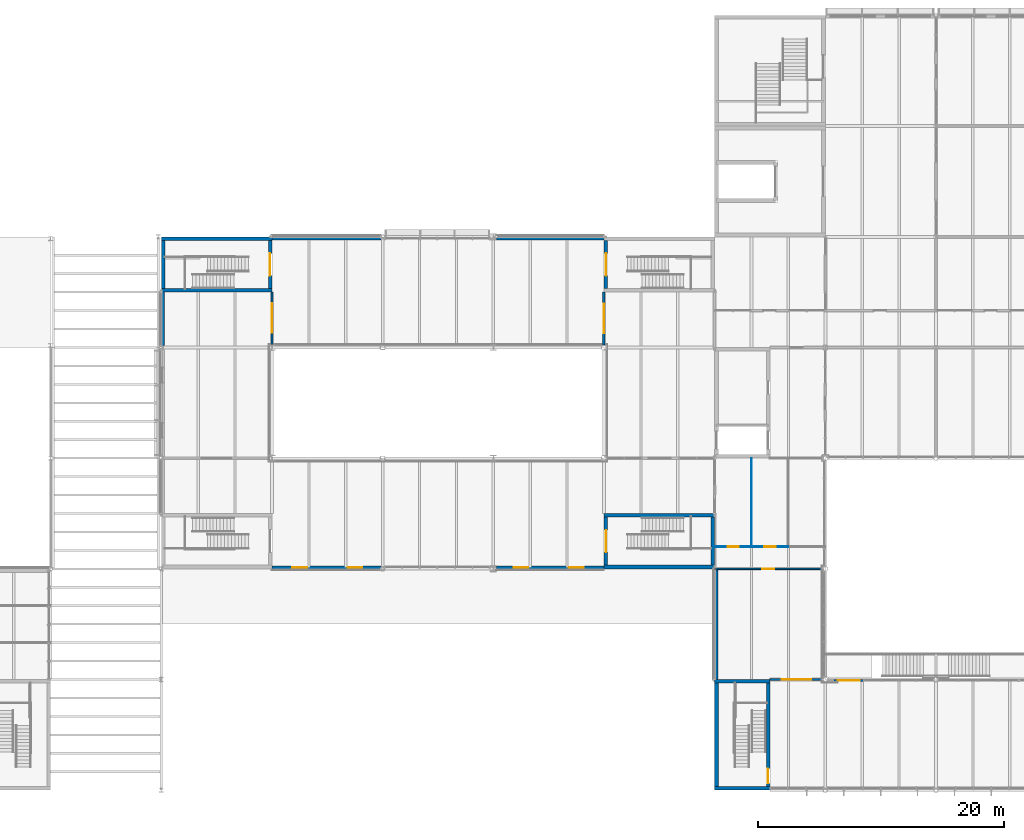
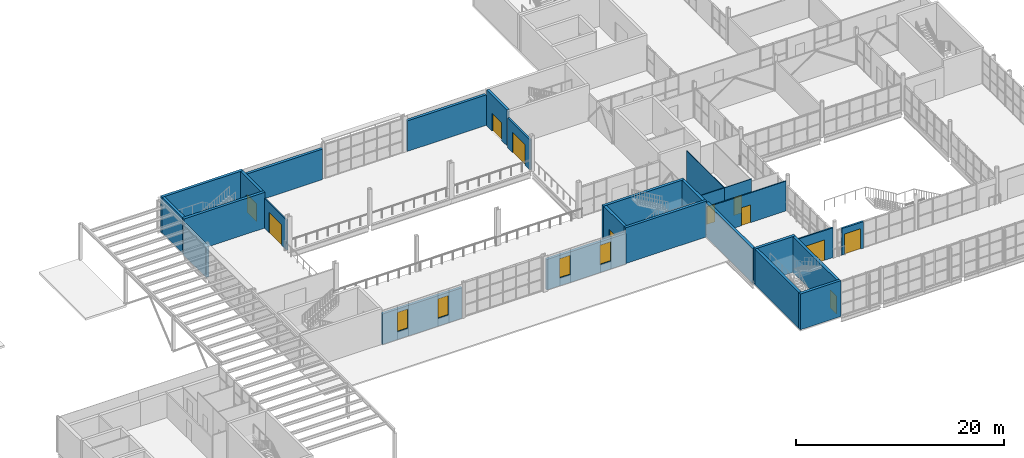
# One storey, part 34 of 57: 27 walls, 11 doors, 4 windows, 15 openings.
"""IFC4 building model written with IfcOpenShell, lengths in metres."""

from ifc_helpers import new_model, si_unit, direction, frame, frame_2d, origin, place, context, subcontext, project, spatial, rectangle, extrude, material, layer, layer_set, type_object, element, fill, save


model = new_model("IFC4")

# Units and contexts
model_context = context("Model", 3, precision=1e-05, world=origin(), true_north=direction((0.0, 1.0)))
body_context = subcontext(model_context, "Body", "Model", "MODEL_VIEW")
ifc_project = project(units=[si_unit("LENGTHUNIT", "METRE"), si_unit("AREAUNIT", "SQUARE_METRE"), si_unit("VOLUMEUNIT", "CUBIC_METRE"), si_unit("PLANEANGLEUNIT", "RADIAN"), si_unit("MASSUNIT", "GRAM", prefix="KILO")], contexts=[model_context])

# Site, building, storey
site_placement = place(None, origin())
site = spatial("IfcSite", under=ifc_project, at=site_placement, CompositionType="ELEMENT")
building_placement = place(site_placement, origin())
building = spatial("IfcBuilding", under=site, at=building_placement, Name="Halyard Row Museum", CompositionType="ELEMENT")
storey_placement = place(building_placement, frame((0.0, 0.0, 5.0)))
storey = spatial("IfcBuildingStorey", under=building, at=storey_placement, Name="L01", CompositionType="ELEMENT", Elevation=5.0)

# Walls
ifc_material_1 = material(Name="Timber battens on insulated steel-stud wall", Category="steel")
ifc_layer_1 = layer(ifc_material_1, 0.320068359375)
ifc_layer_set_1 = layer_set([ifc_layer_1], Name="Timber battens on insulated steel-stud wall")
wall_type_1 = type_object("IfcWallType", Name="Batten rainscreen wall 320 deep reveal", PredefinedType="SOLIDWALL", material=ifc_layer_set_1)
wall_1_placement = place(storey_placement, frame((72.10009765625, 9.0, 0.0), z_axis=(0.0, 0.0, 1.0), x_axis=(0.0, 1.0, 0.0)))
element("IfcWall", 1, at=wall_1_placement, inside=storey, type_object=wall_type_1, Name="Wall WL01-811", PredefinedType="SOLIDWALL", context=body_context, shape_type="SweptSolid", body=[
    extrude(rectangle(XDim=9.0, YDim=0.320068359375, at=frame_2d((4.5, 0.0))), origin(), (0.0, 0.0, 1.0), 4.034912109375),
])
ifc_material_2 = material(Name="Concrete 40 MPa", Category="concrete")
ifc_layer_2 = layer(ifc_material_2, 0.300048828125)
ifc_layer_set_2 = layer_set([ifc_layer_2], Name="Concrete 40 MPa")
wall_type_2 = type_object("IfcWallType", Name="Exitway wall 300 reinforced concrete", PredefinedType="SOLIDWALL", material=ifc_layer_set_2)
wall_2_placement = place(storey_placement, frame((27.0, 40.64990234375, 0.0), z_axis=(0.0, 0.0, 1.0), x_axis=(1.0, 0.0, 0.0)))
element("IfcWall", 2, at=wall_2_placement, inside=storey, type_object=wall_type_2, Name="Core wall K1A S L01", PredefinedType="SOLIDWALL", context=body_context, shape_type="SweptSolid", body=[
    extrude(rectangle(XDim=9.0, YDim=0.300048828125, at=frame_2d((4.5, 0.0))), origin(), (0.0, 0.0, 1.0), 4.199951171875),
])

# Wall, opening, door
wall_3_placement = place(storey_placement, frame((35.85009765625, 40.800048828125, 0.0), z_axis=(0.0, 0.0, 1.0), x_axis=(0.0, 1.0, 0.0)))
wall_3 = element("IfcWall", 3, at=wall_3_placement, inside=storey, type_object=wall_type_2, Name="Core wall K1A E L01", PredefinedType="SOLIDWALL", context=body_context, shape_type="SweptSolid", body=[
    extrude(rectangle(XDim=3.89990234375, YDim=0.300048828125, at=frame_2d((1.949951171875, 0.0))), origin(), (0.0, 0.0, 1.0), 4.199951171875),
])
opening_1_placement = place(wall_3_placement, frame((1.050048828125, 0.0, 0.0)))
opening_1 = element("IfcOpeningElement", 4, at=opening_1_placement, cuts=wall_3, Name="Opening DL01-001", PredefinedType="OPENING", context=body_context, shape_type="SweptSolid", body=[
    extrude(rectangle(XDim=1.800048828125, YDim=2.10009765625, at=frame_2d((0.89990234375, 1.050048828125))), frame((0.0, 0.159912109375, 0.0), z_axis=(0.0, -1.0, 0.0), x_axis=(1.0, 0.0, 0.0)), (0.0, 0.0, 1.0), 0.320068359375),
])
ifc_material_3 = material(Name="Fire-resisting timber door leaf and steel frame", Category="steel")
door_type_1 = type_object("IfcDoorType", Name="Exitway door 1800 x 2100 fire rated", OperationType="NOTDEFINED", PredefinedType="DOOR", material=ifc_material_3)
door_1_placement = place(opening_1_placement, origin())
door_1 = element("IfcDoor", 5, at=door_1_placement, inside=storey, type_object=door_type_1, Name="Exitway door K1A L01", OperationType="DOUBLE_DOOR_SINGLE_SWING", OverallHeight=2.10009765625, OverallWidth=1.800048828125, PredefinedType="DOOR", context=body_context, shape_type="SweptSolid", body=[
    extrude(rectangle(XDim=1.800048828125, YDim=2.10009765625, at=frame_2d((0.89990234375, 1.050048828125))), frame((0.0, 0.02490234375, 0.0), z_axis=(0.0, -1.0, 0.0), x_axis=(1.0, 0.0, 0.0)), (0.0, 0.0, 1.0), 0.050048828125),
])
fill(opening_1, door_1)

# Walls
wall_4_placement = place(storey_placement, frame((27.0, 44.85009765625, 0.0), z_axis=(0.0, 0.0, 1.0), x_axis=(1.0, 0.0, 0.0)))
element("IfcWall", 6, at=wall_4_placement, inside=storey, type_object=wall_type_2, Name="Core wall K1A N L01", PredefinedType="SOLIDWALL", context=body_context, shape_type="SweptSolid", body=[
    extrude(rectangle(XDim=9.0, YDim=0.300048828125, at=frame_2d((4.5, 0.0))), origin(), (0.0, 0.0, 1.0), 4.199951171875),
])
wall_5_placement = place(storey_placement, frame((27.14990234375, 40.800048828125, 0.0), z_axis=(0.0, 0.0, 1.0), x_axis=(0.0, 1.0, 0.0)))
element("IfcWall", 7, at=wall_5_placement, inside=storey, type_object=wall_type_2, Name="Core wall K1A W L01", PredefinedType="SOLIDWALL", context=body_context, shape_type="SweptSolid", body=[
    extrude(rectangle(XDim=3.89990234375, YDim=0.300048828125, at=frame_2d((1.949951171875, 0.0))), origin(), (0.0, 0.0, 1.0), 4.199951171875),
])

# Wall, opening, door
wall_6_placement = place(storey_placement, frame((63.14990234375, 40.800048828125, 0.0), z_axis=(0.0, 0.0, 1.0), x_axis=(0.0, 1.0, 0.0)))
wall_6 = element("IfcWall", 8, at=wall_6_placement, inside=storey, type_object=wall_type_2, Name="Core wall K1B W L01", PredefinedType="SOLIDWALL", context=body_context, shape_type="SweptSolid", body=[
    extrude(rectangle(XDim=3.89990234375, YDim=0.300048828125, at=frame_2d((1.949951171875, 0.0))), origin(), (0.0, 0.0, 1.0), 4.199951171875),
])
opening_2_placement = place(wall_6_placement, frame((1.050048828125, 0.0, 0.0)))
opening_2 = element("IfcOpeningElement", 9, at=opening_2_placement, cuts=wall_6, Name="Opening DL01-002", PredefinedType="OPENING", context=body_context, shape_type="SweptSolid", body=[
    extrude(rectangle(XDim=1.800048828125, YDim=2.10009765625, at=frame_2d((0.89990234375, 1.050048828125))), frame((0.0, 0.159912109375, 0.0), z_axis=(0.0, -1.0, 0.0), x_axis=(1.0, 0.0, 0.0)), (0.0, 0.0, 1.0), 0.320068359375),
])
door_2_placement = place(opening_2_placement, frame((1.800048828125, 0.0, 0.0), z_axis=(0.0, 0.0, 1.0), x_axis=(-1.0, 0.0, 0.0)))
door_2 = element("IfcDoor", 10, at=door_2_placement, inside=storey, type_object=door_type_1, Name="Exitway door K1B L01", OperationType="DOUBLE_DOOR_SINGLE_SWING", OverallHeight=2.10009765625, OverallWidth=1.800048828125, PredefinedType="DOOR", context=body_context, shape_type="SweptSolid", body=[
    extrude(rectangle(XDim=1.800048828125, YDim=2.10009765625, at=frame_2d((0.89990234375, 1.050048828125))), frame((0.0, 0.02490234375, 0.0), z_axis=(0.0, -1.0, 0.0), x_axis=(1.0, 0.0, 0.0)), (0.0, 0.0, 1.0), 0.050048828125),
])
fill(opening_2, door_2)

# Walls
wall_7_placement = place(storey_placement, frame((63.0, 18.14990234375, 0.0), z_axis=(0.0, 0.0, 1.0), x_axis=(1.0, 0.0, 0.0)))
element("IfcWall", 11, at=wall_7_placement, inside=storey, type_object=wall_type_2, Name="Core wall K1C S L01", PredefinedType="SOLIDWALL", context=body_context, shape_type="SweptSolid", body=[
    extrude(rectangle(XDim=9.0, YDim=0.300048828125, at=frame_2d((4.5, 0.0))), origin(), (0.0, 0.0, 1.0), 4.199951171875),
])
wall_8_placement = place(storey_placement, frame((71.85009765625, 18.300048828125, 0.0), z_axis=(0.0, 0.0, 1.0), x_axis=(0.0, 1.0, 0.0)))
element("IfcWall", 12, at=wall_8_placement, inside=storey, type_object=wall_type_2, Name="Core wall K1C E L01", PredefinedType="SOLIDWALL", context=body_context, shape_type="SweptSolid", body=[
    extrude(rectangle(XDim=3.89990234375, YDim=0.300048828125, at=frame_2d((1.949951171875, 0.0))), origin(), (0.0, 0.0, 1.0), 4.199951171875),
])
wall_9_placement = place(storey_placement, frame((63.0, 22.35009765625, 0.0), z_axis=(0.0, 0.0, 1.0), x_axis=(1.0, 0.0, 0.0)))
element("IfcWall", 13, at=wall_9_placement, inside=storey, type_object=wall_type_2, Name="Core wall K1C N L01", PredefinedType="SOLIDWALL", context=body_context, shape_type="SweptSolid", body=[
    extrude(rectangle(XDim=9.0, YDim=0.300048828125, at=frame_2d((4.5, 0.0))), origin(), (0.0, 0.0, 1.0), 4.199951171875),
])

# Wall, opening, door
wall_10_placement = place(storey_placement, frame((63.14990234375, 18.300048828125, 0.0), z_axis=(0.0, 0.0, 1.0), x_axis=(0.0, 1.0, 0.0)))
wall_10 = element("IfcWall", 14, at=wall_10_placement, inside=storey, type_object=wall_type_2, Name="Core wall K1C W L01", PredefinedType="SOLIDWALL", context=body_context, shape_type="SweptSolid", body=[
    extrude(rectangle(XDim=3.89990234375, YDim=0.300048828125, at=frame_2d((1.949951171875, 0.0))), origin(), (0.0, 0.0, 1.0), 4.199951171875),
])
opening_3_placement = place(wall_10_placement, frame((1.050048828125, 0.0, 0.0)))
opening_3 = element("IfcOpeningElement", 15, at=opening_3_placement, cuts=wall_10, Name="Opening DL01-003", PredefinedType="OPENING", context=body_context, shape_type="SweptSolid", body=[
    extrude(rectangle(XDim=1.800048828125, YDim=2.10009765625, at=frame_2d((0.89990234375, 1.050048828125))), frame((0.0, 0.159912109375, 0.0), z_axis=(0.0, -1.0, 0.0), x_axis=(1.0, 0.0, 0.0)), (0.0, 0.0, 1.0), 0.320068359375),
])
door_3_placement = place(opening_3_placement, frame((1.800048828125, 0.0, 0.0), z_axis=(0.0, 0.0, 1.0), x_axis=(-1.0, 0.0, 0.0)))
door_3 = element("IfcDoor", 16, at=door_3_placement, inside=storey, type_object=door_type_1, Name="Exitway door K1C L01", OperationType="DOUBLE_DOOR_SINGLE_SWING", OverallHeight=2.10009765625, OverallWidth=1.800048828125, PredefinedType="DOOR", context=body_context, shape_type="SweptSolid", body=[
    extrude(rectangle(XDim=1.800048828125, YDim=2.10009765625, at=frame_2d((0.89990234375, 1.050048828125))), frame((0.0, 0.02490234375, 0.0), z_axis=(0.0, -1.0, 0.0), x_axis=(1.0, 0.0, 0.0)), (0.0, 0.0, 1.0), 0.050048828125),
])
fill(opening_3, door_3)

# Wall
wall_11_placement = place(storey_placement, frame((72.0, 0.14990234375, 0.0), z_axis=(0.0, 0.0, 1.0), x_axis=(1.0, 0.0, 0.0)))
element("IfcWall", 17, at=wall_11_placement, inside=storey, type_object=wall_type_2, Name="Core wall K2A S L01", PredefinedType="SOLIDWALL", context=body_context, shape_type="SweptSolid", body=[
    extrude(rectangle(XDim=4.5, YDim=0.300048828125, at=frame_2d((2.25, 0.0))), origin(), (0.0, 0.0, 1.0), 4.199951171875),
])

# Wall, opening, door
wall_12_placement = place(storey_placement, frame((76.35009765625, 0.300048828125, 0.0), z_axis=(0.0, 0.0, 1.0), x_axis=(0.0, 1.0, 0.0)))
wall_12 = element("IfcWall", 18, at=wall_12_placement, inside=storey, type_object=wall_type_2, Name="Core wall K2A E L01", PredefinedType="SOLIDWALL", context=body_context, shape_type="SweptSolid", body=[
    extrude(rectangle(XDim=8.39990234375, YDim=0.300048828125, at=frame_2d((4.199951171875, 0.0))), origin(), (0.0, 0.0, 1.0), 4.199951171875),
])
opening_4_placement = place(wall_12_placement, frame((0.25, 0.0, 0.0)))
opening_4 = element("IfcOpeningElement", 19, at=opening_4_placement, cuts=wall_12, Name="Opening DL01-005", PredefinedType="OPENING", context=body_context, shape_type="SweptSolid", body=[
    extrude(rectangle(XDim=1.199951171875, YDim=2.10009765625, at=frame_2d((0.60009765625, 1.050048828125))), frame((0.0, 0.159912109375, 0.0), z_axis=(0.0, -1.0, 0.0), x_axis=(1.0, 0.0, 0.0)), (0.0, 0.0, 1.0), 0.320068359375),
])
ifc_material_4 = material(Name="Fire-resisting timber door leaf and steel frame", Category="steel")
door_type_2 = type_object("IfcDoorType", Name="Exitway door 1200 x 2100 fire rated", OperationType="NOTDEFINED", PredefinedType="DOOR", material=ifc_material_4)
door_4_placement = place(opening_4_placement, origin())
door_4 = element("IfcDoor", 20, at=door_4_placement, inside=storey, type_object=door_type_2, Name="Exitway door K2A L01", OperationType="SINGLE_SWING_RIGHT", OverallHeight=2.10009765625, OverallWidth=1.199951171875, PredefinedType="DOOR", context=body_context, shape_type="SweptSolid", body=[
    extrude(rectangle(XDim=1.199951171875, YDim=2.10009765625, at=frame_2d((0.60009765625, 1.050048828125))), frame((0.0, 0.02490234375, 0.0), z_axis=(0.0, -1.0, 0.0), x_axis=(1.0, 0.0, 0.0)), (0.0, 0.0, 1.0), 0.050048828125),
])
fill(opening_4, door_4)

# Walls
wall_13_placement = place(storey_placement, frame((72.0, 8.85009765625, 0.0), z_axis=(0.0, 0.0, 1.0), x_axis=(1.0, 0.0, 0.0)))
element("IfcWall", 21, at=wall_13_placement, inside=storey, type_object=wall_type_2, Name="Core wall K2A N L01", PredefinedType="SOLIDWALL", context=body_context, shape_type="SweptSolid", body=[
    extrude(rectangle(XDim=4.5, YDim=0.300048828125, at=frame_2d((2.25, 0.0))), origin(), (0.0, 0.0, 1.0), 4.199951171875),
])
wall_14_placement = place(storey_placement, frame((72.14990234375, 0.300048828125, 0.0), z_axis=(0.0, 0.0, 1.0), x_axis=(0.0, 1.0, 0.0)))
element("IfcWall", 22, at=wall_14_placement, inside=storey, type_object=wall_type_2, Name="Core wall K2A W L01", PredefinedType="SOLIDWALL", context=body_context, shape_type="SweptSolid", body=[
    extrude(rectangle(XDim=8.39990234375, YDim=0.300048828125, at=frame_2d((4.199951171875, 0.0))), origin(), (0.0, 0.0, 1.0), 4.199951171875),
])

# Wall, opening, door
ifc_material_5 = material(Name="Powder-coated aluminium section", Category="aluminium")
ifc_layer_3 = layer(ifc_material_5, 0.199951171875)
ifc_layer_set_3 = layer_set([ifc_layer_3], Name="Powder-coated aluminium section")
wall_type_3 = type_object("IfcWallType", Name="Fire-resisting screen frame 200", PredefinedType="SOLIDWALL", material=ifc_layer_set_3)
wall_15_placement = place(storey_placement, frame((81.699951171875, 8.919921875, 0.0), z_axis=(0.0, 0.0, 1.0), x_axis=(1.0, 0.0, 0.0)))
wall_15 = element("IfcWall", 23, at=wall_15_placement, inside=storey, type_object=wall_type_3, Name="Wall WL01-815", PredefinedType="SOLIDWALL", context=body_context, shape_type="SweptSolid", body=[
    extrude(rectangle(XDim=2.400146484375, YDim=0.199951171875, at=frame_2d((1.2001953125, 0.0))), origin(), (0.0, 0.0, 1.0), 3.12451171875),
])
opening_5_placement = place(wall_15_placement, frame((0.300048828125, 0.0, 0.0)))
opening_5 = element("IfcOpeningElement", 24, at=opening_5_placement, cuts=wall_15, Name="Opening DL01-400", PredefinedType="OPENING", context=body_context, shape_type="SweptSolid", body=[
    extrude(rectangle(XDim=1.800048828125, YDim=2.39990234375, at=frame_2d((0.89990234375, 1.199951171875))), frame((0.0, 0.10986328125, 0.0), z_axis=(0.0, -1.0, 0.0), x_axis=(1.0, 0.0, 0.0)), (0.0, 0.0, 1.0), 0.219970703125),
])
ifc_material_6 = material(Name="Powder-coated aluminium section", Category="aluminium")
door_type_3 = type_object("IfcDoorType", Name="Door DE4 atrium screen 1800 x 2400", OperationType="NOTDEFINED", PredefinedType="DOOR", material=ifc_material_6)
door_5_placement = place(opening_5_placement, frame((1.800048828125, 0.0, 0.0), z_axis=(0.0, 0.0, 1.0), x_axis=(-1.0, 0.0, 0.0)))
door_5 = element("IfcDoor", 25, at=door_5_placement, inside=storey, type_object=door_type_3, Name="Door DL01-400", OperationType="DOUBLE_DOOR_SINGLE_SWING", OverallHeight=2.39990234375, OverallWidth=1.800048828125, PredefinedType="DOOR", context=body_context, shape_type="SweptSolid", body=[
    extrude(rectangle(XDim=1.800048828125, YDim=2.39990234375, at=frame_2d((0.89990234375, 1.199951171875))), frame((0.0, 0.02490234375, 0.0), z_axis=(0.0, -1.0, 0.0), x_axis=(1.0, 0.0, 0.0)), (0.0, 0.0, 1.0), 0.050048828125),
])
fill(opening_5, door_5)

ifc_material_7 = material(Name="Plasterboard on steel studs with mineral wool", Category="steel")
ifc_layer_4 = layer(ifc_material_7, 0.14990234375)
ifc_layer_set_4 = layer_set([ifc_layer_4], Name="Plasterboard on steel studs with mineral wool")
wall_type_4 = type_object("IfcWallType", Name="Gallery wall 150", PredefinedType="PARTITIONING", material=ifc_layer_set_4)
wall_16_placement = place(storey_placement, frame((36.0, 36.239990234375, 0.0), z_axis=(0.0, 0.0, 1.0), x_axis=(0.0, 1.0, 0.0)))
wall_16 = element("IfcWall", 26, at=wall_16_placement, inside=storey, type_object=wall_type_4, Name="Partition Permanent Gallery Harbour / Permanent Gallery Settlement", PredefinedType="PARTITIONING", context=body_context, shape_type="SweptSolid", body=[
    extrude(rectangle(XDim=4.260009765625, YDim=0.14990234375, at=frame_2d((2.1298828125, 0.0))), origin(), (0.0, 0.0, 1.0), 3.501953125),
])
opening_6_placement = place(wall_16_placement, frame((0.949951171875, 0.0, 0.0)))
opening_6 = element("IfcOpeningElement", 27, at=opening_6_placement, cuts=wall_16, Name="Opening DL01-017", PredefinedType="OPENING", context=body_context, shape_type="SweptSolid", body=[
    extrude(rectangle(XDim=2.39990234375, YDim=2.39990234375, at=frame_2d((1.199951171875, 1.199951171875))), frame((0.0, 0.0849609375, 0.0), z_axis=(0.0, -1.0, 0.0), x_axis=(1.0, 0.0, 0.0)), (0.0, 0.0, 1.0), 0.169921875),
])
ifc_material_8 = material(Name="Timber veneered door leaf and softwood frame", Category="wood")
door_type_4 = type_object("IfcDoorType", Name="Double door 2400 x 2400 gallery", OperationType="NOTDEFINED", PredefinedType="DOOR", material=ifc_material_8)
door_6_placement = place(opening_6_placement, frame((2.39990234375, 0.0, 0.0), z_axis=(0.0, 0.0, 1.0), x_axis=(-1.0, 0.0, 0.0)))
door_6 = element("IfcDoor", 28, at=door_6_placement, inside=storey, type_object=door_type_4, Name="Door Permanent Gallery Harbour to Permanent Gallery Settlement", OperationType="DOUBLE_DOOR_SINGLE_SWING", OverallHeight=2.39990234375, OverallWidth=2.39990234375, PredefinedType="DOOR", context=body_context, shape_type="SweptSolid", body=[
    extrude(rectangle(XDim=2.39990234375, YDim=2.39990234375, at=frame_2d((1.199951171875, 1.199951171875))), frame((0.0, 0.02490234375, 0.0), z_axis=(0.0, -1.0, 0.0), x_axis=(1.0, 0.0, 0.0)), (0.0, 0.0, 1.0), 0.050048828125),
])
fill(opening_6, door_6)

wall_17_placement = place(storey_placement, frame((76.5, 9.0, 0.0), z_axis=(0.0, 0.0, 1.0), x_axis=(1.0, 0.0, 0.0)))
wall_17 = element("IfcWall", 29, at=wall_17_placement, inside=storey, type_object=wall_type_4, Name="Partition Permanent Gallery Voyages / Permanent Gallery Maritime", PredefinedType="PARTITIONING", context=body_context, shape_type="SweptSolid", body=[
    extrude(rectangle(XDim=4.296875, YDim=0.14990234375, at=frame_2d((2.1484375, 0.0))), origin(), (0.0, 0.0, 1.0), 3.501953125),
])
opening_7_placement = place(wall_17_placement, frame((0.955078125, 0.0, 0.0)))
opening_7 = element("IfcOpeningElement", 30, at=opening_7_placement, cuts=wall_17, Name="Opening DL01-019", PredefinedType="OPENING", context=body_context, shape_type="SweptSolid", body=[
    extrude(rectangle(XDim=2.39990234375, YDim=2.39990234375, at=frame_2d((1.199951171875, 1.199951171875))), frame((0.0, 0.0849609375, 0.0), z_axis=(0.0, -1.0, 0.0), x_axis=(1.0, 0.0, 0.0)), (0.0, 0.0, 1.0), 0.169921875),
])
door_7_placement = place(opening_7_placement, frame((2.39990234375, 0.0, 0.0), z_axis=(0.0, 0.0, 1.0), x_axis=(-1.0, 0.0, 0.0)))
door_7 = element("IfcDoor", 31, at=door_7_placement, inside=storey, type_object=door_type_4, Name="Door Permanent Gallery Voyages to Permanent Gallery Maritime", OperationType="DOUBLE_DOOR_SINGLE_SWING", OverallHeight=2.39990234375, OverallWidth=2.39990234375, PredefinedType="DOOR", context=body_context, shape_type="SweptSolid", body=[
    extrude(rectangle(XDim=2.39990234375, YDim=2.39990234375, at=frame_2d((1.199951171875, 1.199951171875))), frame((0.0, 0.02490234375, 0.0), z_axis=(0.0, -1.0, 0.0), x_axis=(1.0, 0.0, 0.0)), (0.0, 0.0, 1.0), 0.050048828125),
])
fill(opening_7, door_7)

ifc_material_9 = material(Name="Plasterboard on steel studs with mineral wool", Category="steel")
ifc_layer_5 = layer(ifc_material_9, 0.199951171875)
ifc_layer_set_5 = layer_set([ifc_layer_5], Name="Plasterboard on steel studs with mineral wool")
wall_type_5 = type_object("IfcWallType", Name="Gallery wall 200 double stud fire rated", PredefinedType="PARTITIONING", material=ifc_layer_set_5)
wall_18_placement = place(storey_placement, frame((63.0, 36.199951171875, 0.0), z_axis=(0.0, 0.0, 1.0), x_axis=(0.0, 1.0, 0.0)))
wall_18 = element("IfcWall", 32, at=wall_18_placement, inside=storey, type_object=wall_type_5, Name="Partition Permanent Gallery Settlement / Lift Lobby L01 West", PredefinedType="PARTITIONING", context=body_context, shape_type="SweptSolid", body=[
    extrude(rectangle(XDim=4.300048828125, YDim=0.199951171875, at=frame_2d((2.14990234375, 0.0))), origin(), (0.0, 0.0, 1.0), 3.501953125),
])
opening_8_placement = place(wall_18_placement, frame((0.949951171875, 0.0, 0.0)))
opening_8 = element("IfcOpeningElement", 33, at=opening_8_placement, cuts=wall_18, Name="Opening DL01-018", PredefinedType="OPENING", context=body_context, shape_type="SweptSolid", body=[
    extrude(rectangle(XDim=2.39990234375, YDim=2.39990234375, at=frame_2d((1.199951171875, 1.199951171875))), frame((0.0, 0.10986328125, 0.0), z_axis=(0.0, -1.0, 0.0), x_axis=(1.0, 0.0, 0.0)), (0.0, 0.0, 1.0), 0.219970703125),
])
ifc_material_10 = material(Name="Timber veneered door leaf and softwood frame", Category="wood")
door_type_5 = type_object("IfcDoorType", Name="Double door 2400 x 2400 gallery fire rated", OperationType="NOTDEFINED", PredefinedType="DOOR", material=ifc_material_10)
door_8_placement = place(opening_8_placement, origin())
door_8 = element("IfcDoor", 34, at=door_8_placement, inside=storey, type_object=door_type_5, Name="Door Permanent Gallery Settlement to Lift Lobby L01 West", OperationType="DOUBLE_DOOR_SINGLE_SWING", OverallHeight=2.39990234375, OverallWidth=2.39990234375, PredefinedType="DOOR", context=body_context, shape_type="SweptSolid", body=[
    extrude(rectangle(XDim=2.39990234375, YDim=2.39990234375, at=frame_2d((1.199951171875, 1.199951171875))), frame((0.0, 0.02490234375, 0.0), z_axis=(0.0, -1.0, 0.0), x_axis=(1.0, 0.0, 0.0)), (0.0, 0.0, 1.0), 0.050048828125),
])
fill(opening_8, door_8)

# Walls
ifc_material_11 = material(Name="Fire-retardant timber rainscreen on insulated steel-stud wall", Category="steel")
ifc_layer_6 = layer(ifc_material_11, 0.300048828125)
ifc_layer_set_6 = layer_set([ifc_layer_6], Name="Fire-retardant timber rainscreen on insulated steel-stud wall")
wall_type_6 = type_object("IfcWallType", Name="Rainscreen wall 300 timber-clad", PredefinedType="SOLIDWALL", material=ifc_layer_set_6)
wall_19_placement = place(storey_placement, frame((54.25, 44.909912109375, 0.0), z_axis=(0.0, 0.0, 1.0), x_axis=(1.0, 0.0, 0.0)))
element("IfcWall", 35, at=wall_19_placement, inside=storey, type_object=wall_type_6, Name="Wall WL01-804", PredefinedType="SOLIDWALL", context=body_context, shape_type="SweptSolid", body=[
    extrude(rectangle(XDim=8.75, YDim=0.300048828125, at=frame_2d((4.375, 0.0))), origin(), (0.0, 0.0, 1.0), 3.57763671875),
])
wall_20_placement = place(storey_placement, frame((36.0, 44.909912109375, 0.0), z_axis=(0.0, 0.0, 1.0), x_axis=(1.0, 0.0, 0.0)))
element("IfcWall", 36, at=wall_20_placement, inside=storey, type_object=wall_type_6, Name="Wall WL01-805", PredefinedType="SOLIDWALL", context=body_context, shape_type="SweptSolid", body=[
    extrude(rectangle(XDim=8.85009765625, YDim=0.300048828125, at=frame_2d((4.425048828125, 0.0))), origin(), (0.0, 0.0, 1.0), 3.57763671875),
])
wall_21_placement = place(storey_placement, frame((27.090087890625, 36.14990234375, 0.0), z_axis=(0.0, 0.0, 1.0), x_axis=(0.0, 1.0, 0.0)))
element("IfcWall", 37, at=wall_21_placement, inside=storey, type_object=wall_type_6, Name="Wall WL01-806", PredefinedType="SOLIDWALL", context=body_context, shape_type="SweptSolid", body=[
    extrude(rectangle(XDim=4.35009765625, YDim=0.300048828125, at=frame_2d((2.175048828125, 0.0))), origin(), (0.0, 0.0, 1.0), 3.57763671875),
])

# Wall, openings, windows
wall_22_placement = place(storey_placement, frame((36.0, 18.090087890625, 0.0), z_axis=(0.0, 0.0, 1.0), x_axis=(1.0, 0.0, 0.0)))
wall_22 = element("IfcWall", 38, at=wall_22_placement, inside=storey, type_object=wall_type_6, Name="Wall WL01-809", PredefinedType="SOLIDWALL", context=body_context, shape_type="SweptSolid", body=[
    extrude(rectangle(XDim=8.85009765625, YDim=0.300048828125, at=frame_2d((4.425048828125, 0.0))), origin(), (0.0, 0.0, 1.0), 3.57763671875),
])
opening_9_placement = place(wall_22_placement, frame((1.64990234375, 0.0, 0.89990234375)))
opening_9 = element("IfcOpeningElement", 39, at=opening_9_placement, cuts=wall_22, Name="Opening WNL01-806", PredefinedType="OPENING", context=body_context, shape_type="SweptSolid", body=[
    extrude(rectangle(XDim=1.199951171875, YDim=2.300048828125, at=frame_2d((0.60009765625, 1.14990234375))), frame((0.0, 0.159912109375, 0.0), z_axis=(0.0, -1.0, 0.0), x_axis=(1.0, 0.0, 0.0)), (0.0, 0.0, 1.0), 0.320068359375),
])
opening_10_placement = place(wall_22_placement, frame((6.14990234375, 0.0, 0.89990234375)))
opening_10 = element("IfcOpeningElement", 40, at=opening_10_placement, cuts=wall_22, Name="Opening WNL01-807", PredefinedType="OPENING", context=body_context, shape_type="SweptSolid", body=[
    extrude(rectangle(XDim=1.199951171875, YDim=2.300048828125, at=frame_2d((0.60009765625, 1.14990234375))), frame((0.0, 0.159912109375, 0.0), z_axis=(0.0, -1.0, 0.0), x_axis=(1.0, 0.0, 0.0)), (0.0, 0.0, 1.0), 0.320068359375),
])
ifc_material_12 = material(Name="Double glazed unit, low-emissivity", Category="glass")
window_type = type_object("IfcWindowType", Name="Window WN1 1200 x 2300", PartitioningType="SINGLE_PANEL", PredefinedType="WINDOW", material=ifc_material_12)
window_1_placement = place(opening_9_placement, origin())
window_1 = element("IfcWindow", 41, at=window_1_placement, inside=storey, type_object=window_type, Name="Window WNL01-806", OverallHeight=2.300048828125, OverallWidth=1.199951171875, PartitioningType="SINGLE_PANEL", PredefinedType="WINDOW", context=body_context, shape_type="SweptSolid", body=[
    extrude(rectangle(XDim=1.199951171875, YDim=2.300048828125, at=frame_2d((0.60009765625, 1.14990234375))), frame((0.0, 0.030029296875, 0.0), z_axis=(0.0, -1.0, 0.0), x_axis=(1.0, 0.0, 0.0)), (0.0, 0.0, 1.0), 0.06005859375),
])
fill(opening_9, window_1)
window_2_placement = place(opening_10_placement, origin())
window_2 = element("IfcWindow", 42, at=window_2_placement, inside=storey, type_object=window_type, Name="Window WNL01-807", OverallHeight=2.300048828125, OverallWidth=1.199951171875, PartitioningType="SINGLE_PANEL", PredefinedType="WINDOW", context=body_context, shape_type="SweptSolid", body=[
    extrude(rectangle(XDim=1.199951171875, YDim=2.300048828125, at=frame_2d((0.60009765625, 1.14990234375))), frame((0.0, 0.030029296875, 0.0), z_axis=(0.0, -1.0, 0.0), x_axis=(1.0, 0.0, 0.0)), (0.0, 0.0, 1.0), 0.06005859375),
])
fill(opening_10, window_2)

wall_23_placement = place(storey_placement, frame((54.25, 18.090087890625, 0.0), z_axis=(0.0, 0.0, 1.0), x_axis=(1.0, 0.0, 0.0)))
wall_23 = element("IfcWall", 43, at=wall_23_placement, inside=storey, type_object=wall_type_6, Name="Wall WL01-810", PredefinedType="SOLIDWALL", context=body_context, shape_type="SweptSolid", body=[
    extrude(rectangle(XDim=8.75, YDim=0.300048828125, at=frame_2d((4.375, 0.0))), origin(), (0.0, 0.0, 1.0), 3.57763671875),
])
opening_11_placement = place(wall_23_placement, frame((1.39990234375, 0.0, 0.89990234375)))
opening_11 = element("IfcOpeningElement", 44, at=opening_11_placement, cuts=wall_23, Name="Opening WNL01-808", PredefinedType="OPENING", context=body_context, shape_type="SweptSolid", body=[
    extrude(rectangle(XDim=1.199951171875, YDim=2.300048828125, at=frame_2d((0.60009765625, 1.14990234375))), frame((0.0, 0.159912109375, 0.0), z_axis=(0.0, -1.0, 0.0), x_axis=(1.0, 0.0, 0.0)), (0.0, 0.0, 1.0), 0.320068359375),
])
opening_12_placement = place(wall_23_placement, frame((5.89990234375, 0.0, 0.89990234375)))
opening_12 = element("IfcOpeningElement", 45, at=opening_12_placement, cuts=wall_23, Name="Opening WNL01-809", PredefinedType="OPENING", context=body_context, shape_type="SweptSolid", body=[
    extrude(rectangle(XDim=1.199951171875, YDim=2.300048828125, at=frame_2d((0.60009765625, 1.14990234375))), frame((0.0, 0.159912109375, 0.0), z_axis=(0.0, -1.0, 0.0), x_axis=(1.0, 0.0, 0.0)), (0.0, 0.0, 1.0), 0.320068359375),
])
window_3_placement = place(opening_11_placement, origin())
window_3 = element("IfcWindow", 46, at=window_3_placement, inside=storey, type_object=window_type, Name="Window WNL01-808", OverallHeight=2.300048828125, OverallWidth=1.199951171875, PartitioningType="SINGLE_PANEL", PredefinedType="WINDOW", context=body_context, shape_type="SweptSolid", body=[
    extrude(rectangle(XDim=1.199951171875, YDim=2.300048828125, at=frame_2d((0.60009765625, 1.14990234375))), frame((0.0, 0.030029296875, 0.0), z_axis=(0.0, -1.0, 0.0), x_axis=(1.0, 0.0, 0.0)), (0.0, 0.0, 1.0), 0.06005859375),
])
fill(opening_11, window_3)
window_4_placement = place(opening_12_placement, origin())
window_4 = element("IfcWindow", 47, at=window_4_placement, inside=storey, type_object=window_type, Name="Window WNL01-809", OverallHeight=2.300048828125, OverallWidth=1.199951171875, PartitioningType="SINGLE_PANEL", PredefinedType="WINDOW", context=body_context, shape_type="SweptSolid", body=[
    extrude(rectangle(XDim=1.199951171875, YDim=2.300048828125, at=frame_2d((0.60009765625, 1.14990234375))), frame((0.0, 0.030029296875, 0.0), z_axis=(0.0, -1.0, 0.0), x_axis=(1.0, 0.0, 0.0)), (0.0, 0.0, 1.0), 0.06005859375),
])
fill(opening_12, window_4)

# Wall, opening, door
ifc_material_13 = material(Name="Plasterboard on steel studs with mineral wool", Category="steel")
ifc_layer_7 = layer(ifc_material_13, 0.125)
ifc_layer_set_7 = layer_set([ifc_layer_7], Name="Plasterboard on steel studs with mineral wool")
wall_type_7 = type_object("IfcWallType", Name="Stud partition 125 fire rated", PredefinedType="PARTITIONING", material=ifc_layer_set_7)
wall_24_placement = place(storey_placement, frame((72.0, 18.0, 0.0), z_axis=(0.0, 0.0, 1.0), x_axis=(1.0, 0.0, 0.0)))
wall_24 = element("IfcWall", 48, at=wall_24_placement, inside=storey, type_object=wall_type_7, Name="Partition Permanent Gallery Maritime / WC Lobby L01", PredefinedType="PARTITIONING", context=body_context, shape_type="SweptSolid", body=[
    extrude(rectangle(XDim=8.796875, YDim=0.125, at=frame_2d((4.3984375, 0.0))), origin(), (0.0, 0.0, 1.0), 3.501953125),
])
opening_13_placement = place(wall_24_placement, frame((3.855224609375, 0.0, 0.0)))
opening_13 = element("IfcOpeningElement", 49, at=opening_13_placement, cuts=wall_24, Name="Opening DL01-036", PredefinedType="OPENING", context=body_context, shape_type="SweptSolid", body=[
    extrude(rectangle(XDim=1.0, YDim=2.10009765625, at=frame_2d((0.5, 1.050048828125))), frame((0.0, 0.072509765625, 0.0), z_axis=(0.0, -1.0, 0.0), x_axis=(1.0, 0.0, 0.0)), (0.0, 0.0, 1.0), 0.14501953125),
])
ifc_material_14 = material(Name="Timber veneered door leaf and softwood frame", Category="wood")
door_type_6 = type_object("IfcDoorType", Name="Single door 1000 x 2100 fire rated", OperationType="NOTDEFINED", PredefinedType="DOOR", material=ifc_material_14)
door_9_placement = place(opening_13_placement, origin())
door_9 = element("IfcDoor", 50, at=door_9_placement, inside=storey, type_object=door_type_6, Name="Door WC Lobby L01 to Permanent Gallery Maritime", OperationType="SINGLE_SWING_LEFT", OverallHeight=2.10009765625, OverallWidth=1.0, PredefinedType="DOOR", context=body_context, shape_type="SweptSolid", body=[
    extrude(rectangle(XDim=1.0, YDim=2.10009765625, at=frame_2d((0.5, 1.050048828125))), frame((0.0, 0.02490234375, 0.0), z_axis=(0.0, -1.0, 0.0), x_axis=(1.0, 0.0, 0.0)), (0.0, 0.0, 1.0), 0.050048828125),
])
fill(opening_13, door_9)

# Wall
ifc_material_15 = material(Name="Plasterboard on steel studs with mineral wool", Category="steel")
ifc_layer_8 = layer(ifc_material_15, 0.074951171875)
ifc_layer_set_8 = layer_set([ifc_layer_8], Name="Plasterboard on steel studs with mineral wool")
wall_type_8 = type_object("IfcWallType", Name="WC cubicle partition 75", PredefinedType="PARTITIONING", material=ifc_layer_set_8)
wall_25_placement = place(storey_placement, frame((75.0, 19.800048828125, 0.0), z_axis=(0.0, 0.0, 1.0), x_axis=(0.0, 1.0, 0.0)))
element("IfcWall", 51, at=wall_25_placement, inside=storey, type_object=wall_type_8, Name="Partition WC Women L01 / WC Men L01", PredefinedType="PARTITIONING", context=body_context, shape_type="SweptSolid", body=[
    extrude(rectangle(XDim=7.199951171875, YDim=0.074951171875, at=frame_2d((3.60009765625, 0.0))), origin(), (0.0, 0.0, 1.0), 3.628662109375),
])

# Wall, opening, door
ifc_material_16 = material(Name="Plasterboard on steel studs with mineral wool", Category="steel")
ifc_layer_9 = layer(ifc_material_16, 0.074951171875)
ifc_layer_set_9 = layer_set([ifc_layer_9], Name="Plasterboard on steel studs with mineral wool")
wall_type_9 = type_object("IfcWallType", Name="WC cubicle partition 75 fire rated", PredefinedType="PARTITIONING", material=ifc_layer_set_9)
wall_26_placement = place(storey_placement, frame((72.0, 19.800048828125, 0.0), z_axis=(0.0, 0.0, 1.0), x_axis=(1.0, 0.0, 0.0)))
wall_26 = element("IfcWall", 52, at=wall_26_placement, inside=storey, type_object=wall_type_9, Name="Partition WC Lobby L01 / WC Women L01", PredefinedType="PARTITIONING", context=body_context, shape_type="SweptSolid", body=[
    extrude(rectangle(XDim=3.0, YDim=0.074951171875, at=frame_2d((1.5, 0.0))), origin(), (0.0, 0.0, 1.0), 3.628662109375),
])
opening_14_placement = place(wall_26_placement, frame((1.050048828125, 0.0, 0.0)))
opening_14 = element("IfcOpeningElement", 53, at=opening_14_placement, cuts=wall_26, Name="Opening DL01-037", PredefinedType="OPENING", context=body_context, shape_type="SweptSolid", body=[
    extrude(rectangle(XDim=0.89990234375, YDim=2.10009765625, at=frame_2d((0.449951171875, 1.050048828125))), frame((0.0, 0.04736328125, 0.0), z_axis=(0.0, -1.0, 0.0), x_axis=(1.0, 0.0, 0.0)), (0.0, 0.0, 1.0), 0.094970703125),
])
ifc_material_17 = material(Name="Timber veneered door leaf and softwood frame", Category="wood")
door_type_7 = type_object("IfcDoorType", Name="Single door 900 x 2100 fire rated", OperationType="NOTDEFINED", PredefinedType="DOOR", material=ifc_material_17)
door_10_placement = place(opening_14_placement, origin())
door_10 = element("IfcDoor", 54, at=door_10_placement, inside=storey, type_object=door_type_7, Name="Door WC Women L01 to WC Lobby L01", OperationType="SINGLE_SWING_RIGHT", OverallHeight=2.10009765625, OverallWidth=0.89990234375, PredefinedType="DOOR", context=body_context, shape_type="SweptSolid", body=[
    extrude(rectangle(XDim=0.89990234375, YDim=2.10009765625, at=frame_2d((0.449951171875, 1.050048828125))), frame((0.0, 0.02490234375, 0.0), z_axis=(0.0, -1.0, 0.0), x_axis=(1.0, 0.0, 0.0)), (0.0, 0.0, 1.0), 0.050048828125),
])
fill(opening_14, door_10)

wall_27_placement = place(storey_placement, frame((75.0, 19.800048828125, 0.0), z_axis=(0.0, 0.0, 1.0), x_axis=(1.0, 0.0, 0.0)))
wall_27 = element("IfcWall", 55, at=wall_27_placement, inside=storey, type_object=wall_type_9, Name="Partition WC Lobby L01 / WC Men L01", PredefinedType="PARTITIONING", context=body_context, shape_type="SweptSolid", body=[
    extrude(rectangle(XDim=3.0, YDim=0.074951171875, at=frame_2d((1.5, 0.0))), origin(), (0.0, 0.0, 1.0), 3.628662109375),
])
opening_15_placement = place(wall_27_placement, frame((1.050048828125, 0.0, 0.0)))
opening_15 = element("IfcOpeningElement", 56, at=opening_15_placement, cuts=wall_27, Name="Opening DL01-038", PredefinedType="OPENING", context=body_context, shape_type="SweptSolid", body=[
    extrude(rectangle(XDim=0.89990234375, YDim=2.10009765625, at=frame_2d((0.449951171875, 1.050048828125))), frame((0.0, 0.04736328125, 0.0), z_axis=(0.0, -1.0, 0.0), x_axis=(1.0, 0.0, 0.0)), (0.0, 0.0, 1.0), 0.094970703125),
])
door_11_placement = place(opening_15_placement, origin())
door_11 = element("IfcDoor", 57, at=door_11_placement, inside=storey, type_object=door_type_7, Name="Door WC Men L01 to WC Lobby L01", OperationType="SINGLE_SWING_LEFT", OverallHeight=2.10009765625, OverallWidth=0.89990234375, PredefinedType="DOOR", context=body_context, shape_type="SweptSolid", body=[
    extrude(rectangle(XDim=0.89990234375, YDim=2.10009765625, at=frame_2d((0.449951171875, 1.050048828125))), frame((0.0, 0.02490234375, 0.0), z_axis=(0.0, -1.0, 0.0), x_axis=(1.0, 0.0, 0.0)), (0.0, 0.0, 1.0), 0.050048828125),
])
fill(opening_15, door_11)

save(model, "model.ifc")
